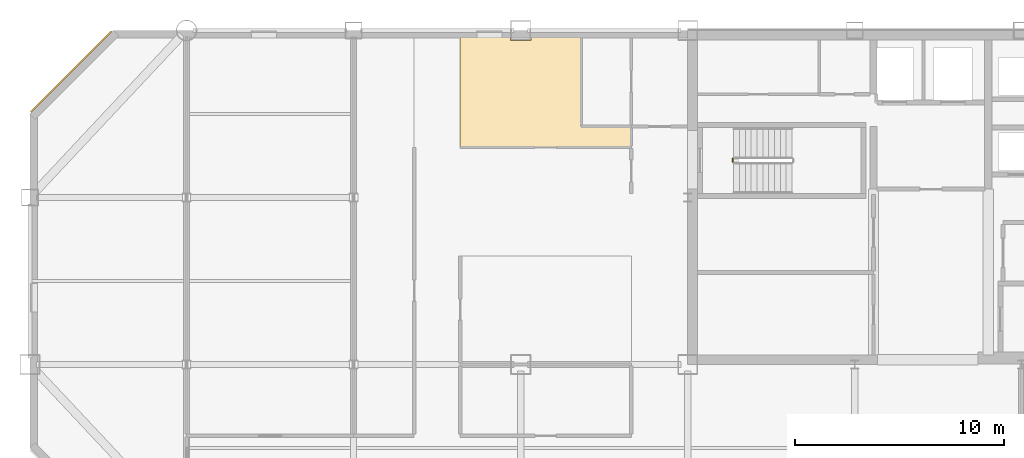
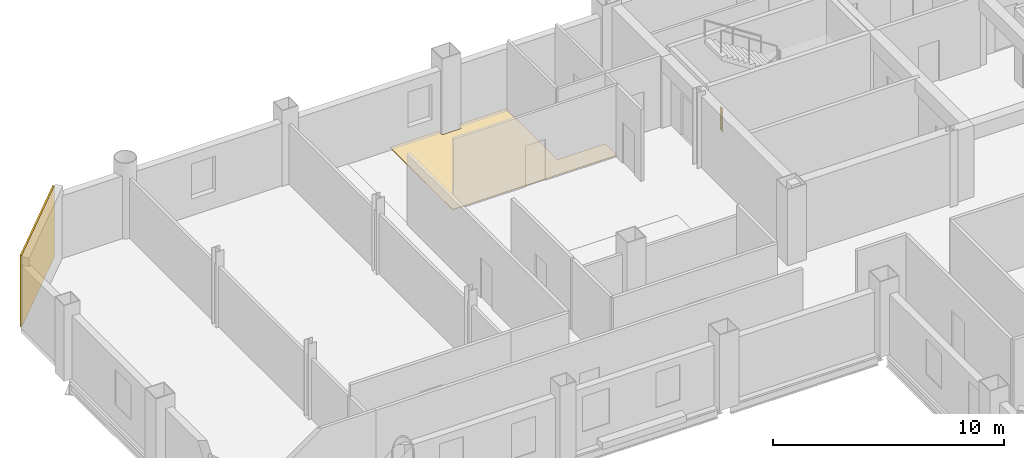
# One storey, part 9 of 10: 2 coverings, 1 railing.
"""IFC4 building model written with IfcOpenShell, lengths in metres."""

import ifcopenshell
import ifcopenshell.guid

model = None  # the IFC model being written
_history = None  # IfcOwnerHistory: only IFC2X3 demands one
_inside = {}  # id of a spatial element -> (the spatial element, [elements in it])
_under = {}  # id of a project, library or spatial element -> (it, [spatial elements below it])
_declared = {}  # id of a project -> (the project, [libraries it declares])
_typed = {}  # id of a type object -> (the type object, [elements of that type])
_made_of = {}  # id of a material, layer set ... -> (it, [elements and type objects made of it])


def new_model(schema):
    """Start an empty IFC model of exactly this schema.

    Asked for "IFC4X3", IfcOpenShell would pick the latest addendum, in which some entities
    have other attributes; the version numbers below select the first issue.
    IFC2X3 requires an IfcOwnerHistory on every rooted entity: one is made here for all.
    """
    global model, _history
    if schema == "IFC4X3":
        model = ifcopenshell.file(schema_version=(4, 3, 0, 0))
    else:
        model = ifcopenshell.file(schema=schema)
    _inside.clear()
    _under.clear()
    _declared.clear()
    _typed.clear()
    _made_of.clear()
    _history = None
    if model.schema == "IFC2X3":
        org = make("IfcOrganization", Name="unknown")
        user = make(
            "IfcPersonAndOrganization",
            ThePerson=make("IfcPerson", FamilyName="unknown"),
            TheOrganization=org,
        )
        app = make(
            "IfcApplication",
            ApplicationDeveloper=org,
            Version="unknown",
            ApplicationFullName="unknown",
            ApplicationIdentifier="unknown",
        )
        _history = make(
            "IfcOwnerHistory",
            OwningUser=user,
            OwningApplication=app,
            ChangeAction="ADDED",
            CreationDate=0,
        )
    return model


def make(cls, **values):
    """One entity of the class cls with the attributes given. An attribute that is None is left unset."""
    return model.create_entity(
        cls, **{name: value for name, value in values.items() if value is not None}
    )


def rooted(cls, **values):
    """An entity with a GlobalId (a new one), such as an element, a storey or a relation."""
    return make(cls, GlobalId=ifcopenshell.guid.new(), OwnerHistory=_history, **values)


def si_unit(unit_type, name, prefix=None):
    """IfcSIUnit, for example si_unit("LENGTHUNIT", "METRE", prefix="MILLI")."""
    return make("IfcSIUnit", UnitType=unit_type, Prefix=prefix, Name=name)


def assignment(units):
    """IfcUnitAssignment: the units of a project."""
    return None if units is None else make("IfcUnitAssignment", Units=units)


def point(xyz):
    """IfcCartesianPoint."""
    return None if xyz is None else make("IfcCartesianPoint", Coordinates=xyz)


def direction(xyz):
    """IfcDirection."""
    return None if xyz is None else make("IfcDirection", DirectionRatios=xyz)


def frame(location, z_axis=None, x_axis=None):
    """IfcAxis2Placement3D, a coordinate frame: its origin and axes. An axis left out is left unset."""
    return make(
        "IfcAxis2Placement3D",
        Location=point(location),
        Axis=direction(z_axis),
        RefDirection=direction(x_axis),
    )


def frame_2d(location, x_axis=None):
    """IfcAxis2Placement2D, a coordinate frame in the plane: its origin and x axis."""
    return make(
        "IfcAxis2Placement2D", Location=point(location), RefDirection=direction(x_axis)
    )


def origin():
    """The frame at (0, 0, 0) with its axes left unset."""
    return frame((0.0, 0.0, 0.0))


def origin_2d():
    """The frame at (0, 0) in the plane with its x axis left unset."""
    return frame_2d((0.0, 0.0))


def place(relative_to, where):
    """IfcLocalPlacement: puts the frame where relative to a parent placement (None: the world)."""
    return make(
        "IfcLocalPlacement", PlacementRelTo=relative_to, RelativePlacement=where
    )


def context(
    kind, dimensions, precision=None, world=None, true_north=None, identifier=None
):
    """IfcGeometricRepresentationContext, for example the 3D "Model" context."""
    return make(
        "IfcGeometricRepresentationContext",
        ContextIdentifier=identifier,
        ContextType=kind,
        CoordinateSpaceDimension=dimensions,
        Precision=precision,
        WorldCoordinateSystem=world,
        TrueNorth=true_north,
    )


def subcontext(parent, identifier, kind, view, scale=None):
    """IfcGeometricRepresentationSubContext, for example "Body" below "Model"."""
    return make(
        "IfcGeometricRepresentationSubContext",
        ContextIdentifier=identifier,
        ContextType=kind,
        ParentContext=parent,
        TargetScale=scale,
        TargetView=view,
    )


def project(units=None, contexts=None):
    """IfcProject with its units and contexts."""
    return rooted(
        "IfcProject",
        Name="project",
        RepresentationContexts=contexts,
        UnitsInContext=assignment(units),
    )


def spatial(cls, under=None, at=None, **own):
    """A site, building, storey or space (cls), placed at a placement, below another one or the project."""
    s = rooted(cls, ObjectPlacement=at, **own)
    if under is not None:
        _under.setdefault(under.id(), (under, []))[1].append(s)
    return s


def polyline(points):
    """IfcPolyline through the points."""
    return make("IfcPolyline", Points=[point(p) for p in points])


def profile(cls, at=None, kind="AREA", **sizes):
    """A parametric profile (cls). Its sizes go by their IFC names, for example OverallWidth=200.0."""
    return make(cls, ProfileType=kind, Position=at, **sizes)


def rectangle(**sizes):
    """IfcRectangleProfileDef."""
    return profile("IfcRectangleProfileDef", **sizes)


def circle(**sizes):
    """IfcCircleProfileDef."""
    return profile("IfcCircleProfileDef", **sizes)


def outline(outer, holes=None, kind="AREA"):
    """IfcArbitraryClosedProfileDef: a profile drawn as a closed curve; with holes, ...WithVoids."""
    if holes is None:
        return make("IfcArbitraryClosedProfileDef", ProfileType=kind, OuterCurve=outer)
    return make(
        "IfcArbitraryProfileDefWithVoids",
        ProfileType=kind,
        OuterCurve=outer,
        InnerCurves=holes,
    )


def extrude(swept, where, along, depth):
    """IfcExtrudedAreaSolid: the profile swept, set in the frame where, extruded along a direction by depth."""
    return make(
        "IfcExtrudedAreaSolid",
        SweptArea=swept,
        Position=where,
        ExtrudedDirection=direction(along),
        Depth=depth,
    )


def shape(context_of_items, identifier, shape_type, items):
    """IfcShapeRepresentation: the items that make up one representation, for example the "Body"."""
    return make(
        "IfcShapeRepresentation",
        ContextOfItems=context_of_items,
        RepresentationIdentifier=identifier,
        RepresentationType=shape_type,
        Items=items,
    )


def material(Name=None, Category=None):
    """IfcMaterial."""
    return make("IfcMaterial", Name=Name, Category=Category)


def layer(
    of_material, thickness, ventilated=None, Name=None, Category=None, Priority=None
):
    """IfcMaterialLayer: one layer of a wall or slab, of a material (None: an air gap)."""
    return make(
        "IfcMaterialLayer",
        Material=of_material,
        LayerThickness=thickness,
        IsVentilated=ventilated,
        Name=Name,
        Category=Category,
        Priority=Priority,
    )


def layer_set(layers, Name=None):
    """IfcMaterialLayerSet."""
    return make("IfcMaterialLayerSet", MaterialLayers=layers, LayerSetName=Name)


def made_of(thing, what):
    """Note that an element or type object is made of a material, layer set ...; save() writes the relation."""
    if what is not None:
        _made_of.setdefault(what.id(), (what, []))[1].append(thing)
    return thing


def type_object(cls, material=None, **own):
    """A type object (cls), such as IfcWallType, which elements share."""
    return made_of(rooted(cls, **own), material)


def element(
    cls,
    number,
    at=None,
    inside=None,
    cuts=None,
    type_object=None,
    material=None,
    context=None,
    identifier="Body",
    shape_type=None,
    held_by="IfcProductDefinitionShape",
    body=None,
    shapes=None,
    **own,
):
    """One element of the class cls, such as IfcWall. Its Tag is "e" and its number.

    at: its placement. inside: the storey or other place that contains it. cuts: it is an
    opening in that element (IfcRelVoidsElement). A single representation is given by context,
    identifier, shape_type and body (its items); several are given by shapes. held_by: the class
    of the entity that holds the representations. save() writes the other relations.
    """
    e = rooted(cls, Tag="e%d" % number, ObjectPlacement=at, **own)
    if body is not None:
        shapes = [shape(context, identifier, shape_type, body)]
    if shapes is not None:
        e.Representation = make(held_by, Representations=shapes)
    if inside is not None:
        _inside.setdefault(inside.id(), (inside, []))[1].append(e)
    if cuts is not None:
        rooted(
            "IfcRelVoidsElement", RelatingBuildingElement=cuts, RelatedOpeningElement=e
        )
    if type_object is not None:
        _typed.setdefault(type_object.id(), (type_object, []))[1].append(e)
    return made_of(e, material)


def aggregate(whole, parts):
    """IfcRelAggregates: a whole, such as a stair, and the parts it consists of."""
    return rooted("IfcRelAggregates", RelatingObject=whole, RelatedObjects=parts)


def save(model, path):
    """Write the relations noted so far, then the file.

    IfcRelAggregates (storeys below a building ...), IfcRelContainedInSpatialStructure (elements
    in a storey), IfcRelDefinesByType, IfcRelAssociatesMaterial and IfcRelDeclares: one each for
    every whole, place, type object, material and project.
    """
    for whole, parts in _under.values():
        aggregate(whole, parts)
    for where, things in _inside.values():
        rooted(
            "IfcRelContainedInSpatialStructure",
            RelatedElements=things,
            RelatingStructure=where,
        )
    for kind, things in _typed.values():
        rooted("IfcRelDefinesByType", RelatedObjects=things, RelatingType=kind)
    for what, things in _made_of.values():
        rooted("IfcRelAssociatesMaterial", RelatedObjects=things, RelatingMaterial=what)
    for by, libraries in _declared.values():
        rooted("IfcRelDeclares", RelatingContext=by, RelatedDefinitions=libraries)
    model.write(path)


model = new_model("IFC4")

# Units and contexts
model_context = context("Model", 3, precision=1e-05, world=origin(), true_north=direction((0.0, 1.0)))
body_context = subcontext(model_context, "Body", "Model", "MODEL_VIEW")
ifc_project = project(units=[si_unit("LENGTHUNIT", "METRE"), si_unit("AREAUNIT", "SQUARE_METRE"), si_unit("VOLUMEUNIT", "CUBIC_METRE"), si_unit("PLANEANGLEUNIT", "RADIAN"), si_unit("MASSUNIT", "GRAM", prefix="KILO")], contexts=[model_context])

# Site, building, storey
site_placement = place(None, origin())
site = spatial("IfcSite", under=ifc_project, at=site_placement, CompositionType="ELEMENT")
building_placement = place(site_placement, origin())
building = spatial("IfcBuilding", under=site, at=building_placement, Name="Qianrong Seaharbour Tower", CompositionType="ELEMENT")
storey_placement = place(building_placement, frame((0.0, 0.0, 225.800048828125)))
storey = spatial("IfcBuildingStorey", under=building, at=storey_placement, Name="L54", CompositionType="ELEMENT", Elevation=225.800048828125)

# Coverings
ifc_material_1 = material(Name="Unitised red brick cladding on Precast concrete C45/55", Category="masonry")
ifc_layer_1 = layer(ifc_material_1, 0.080078125)
ifc_layer_set_1 = layer_set([ifc_layer_1], Name="Unitised red brick cladding on Precast concrete C45/55")
covering_type_1 = type_object("IfcCoveringType", Name="COV-CLAD-RED-BRICK-80", PredefinedType="CLADDING", material=ifc_layer_set_1)
covering_1_placement = place(storey_placement, frame((10.9716796875, 50.0283203125, 0.0), z_axis=(0.0, 0.0, 1.0), x_axis=(0.707106781187, 0.707106781187, 0.0)))
element("IfcCovering", 1, at=covering_1_placement, inside=storey, type_object=covering_type_1, Name="L54 Chamfer Corner Brick Cladding 04", PredefinedType="CLADDING", context=body_context, shape_type="SweptSolid", body=[
    extrude(rectangle(XDim=5.456787109375, YDim=0.080078125, at=origin_2d()), origin(), (0.0, 0.0, 1.0), 3.77490234375),
])
ifc_material_2 = material(Name="Acoustic modular carpet tile flooring")
ifc_layer_2 = layer(ifc_material_2, 0.02001953125)
ifc_layer_set_2 = layer_set([ifc_layer_2], Name="Acoustic modular carpet tile flooring")
covering_type_2 = type_object("IfcCoveringType", Name="COV-FLOOR-CARPET-20", PredefinedType="FLOORING", material=ifc_layer_set_2)
covering_2_placement = place(storey_placement, origin())
element("IfcCovering", 2, at=covering_2_placement, inside=storey, type_object=covering_type_2, Name="L54 Wet Pantry 3 Finish Flooring", PredefinedType="FLOORING", context=body_context, shape_type="SweptSolid", body=[
    extrude(outline(polyline([(32.014892578125, 51.824951171875), (32.014892578125, 51.514892578125), (32.985107421875, 51.514892578125), (32.985107421875, 51.824951171875), (35.39990234375, 51.824951171875), (35.39990234375, 47.39990234375), (37.800048828125, 47.39990234375), (37.800048828125, 46.39990234375), (29.60009765625, 46.39990234375), (29.60009765625, 51.824951171875), (32.014892578125, 51.824951171875)])), origin(), (0.0, 0.0, 1.0), 0.02001953125),
])

# Railing
ifc_material_3 = material(Name="Galvanized painted steel SN400B stair guard", Category="steel")
railing_type = type_object("IfcRailingType", Name="RAIL-STAIR-GUARD-1220", PredefinedType="GUARDRAIL", material=ifc_material_3)
railing_placement = place(storey_placement, frame((42.64990234375, 45.699951171875, 0.0)))
element("IfcRailing", 3, at=railing_placement, inside=storey, type_object=railing_type, Name="L54 ST-1 stair guard 4", PredefinedType="GUARDRAIL", context=body_context, shape_type="SweptSolid", body=[
    extrude(circle(Radius=0.02392578125, at=origin_2d()), frame((0.0, 0.0, 1.19580078125), z_axis=(0.0, 1.0, 0.0), x_axis=(-1.0, 0.0, 0.0)), (0.0, 0.0, 1.0), 0.150146484375),
    extrude(circle(Radius=0.02099609375, at=origin_2d()), origin(), (0.0, 0.0, 1.0), 1.171875),
    extrude(circle(Radius=0.02099609375, at=origin_2d()), frame((0.0, 0.150146484375, 0.0)), (0.0, 0.0, 1.0), 1.171875),
])

save(model, "model.ifc")
